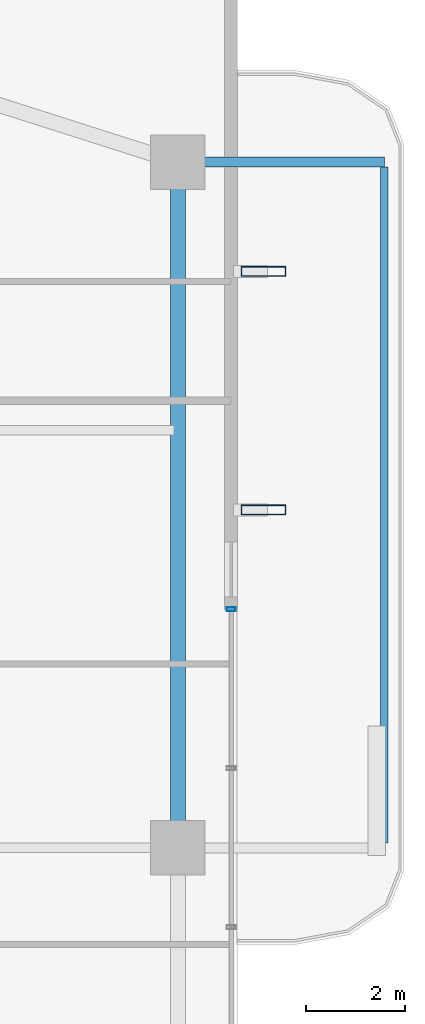
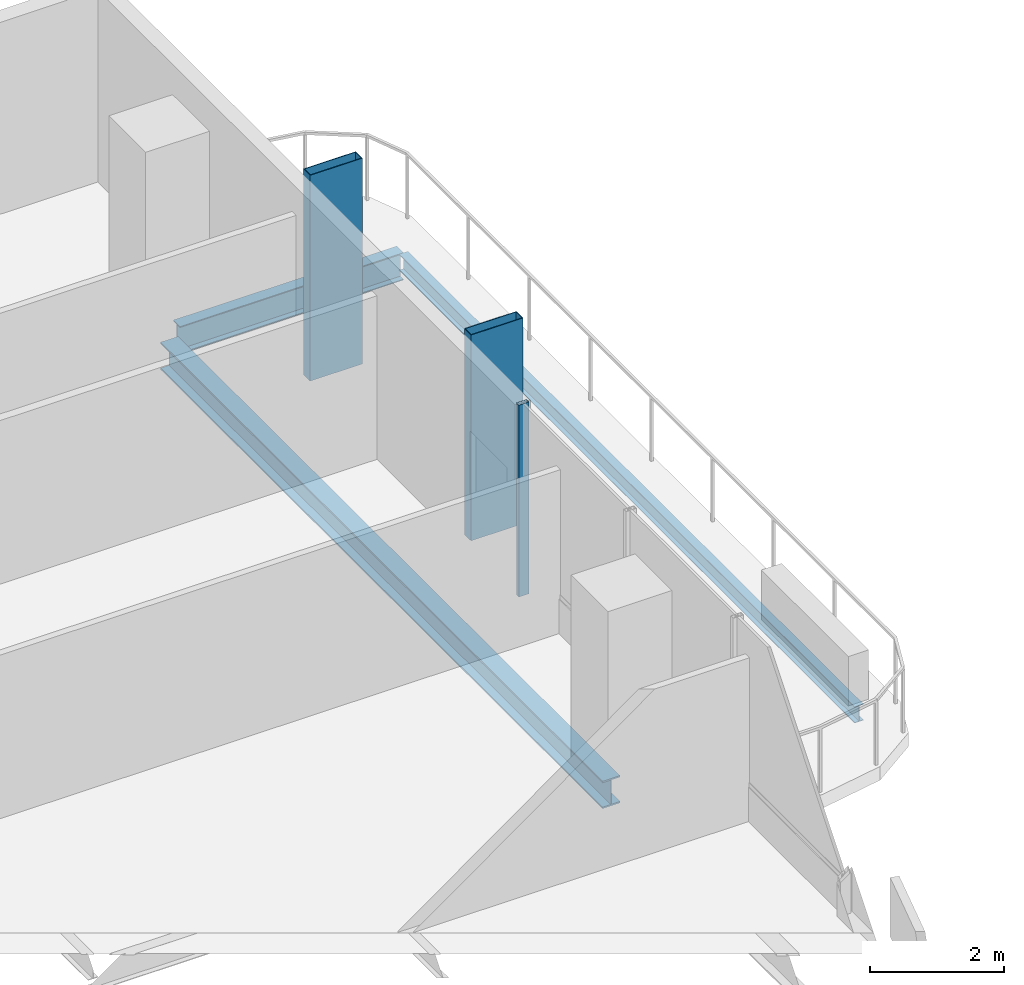
# One storey, part 15 of 25: 3 beams, 3 members, 1 element without a shape of its own.
"""IFC4 building model written with IfcOpenShell, lengths in metres."""

from ifc_helpers import new_model, si_unit, direction, frame, origin, origin_2d, place, context, subcontext, project, spatial, hollow_rectangle, i_section, extrude, material, layer, layer_set, material_profile, profile_set, type_object, element, aggregate, save


model = new_model("IFC4")

# Units and contexts
model_context = context("Model", 3, precision=1e-05, world=origin(), true_north=direction((0.0, 1.0)))
body_context = subcontext(model_context, "Body", "Model", "MODEL_VIEW")
ifc_project = project(units=[si_unit("LENGTHUNIT", "METRE"), si_unit("AREAUNIT", "SQUARE_METRE"), si_unit("VOLUMEUNIT", "CUBIC_METRE"), si_unit("PLANEANGLEUNIT", "RADIAN"), si_unit("MASSUNIT", "GRAM", prefix="KILO")], contexts=[model_context])

# Site, building, storey
site_placement = place(None, origin())
site = spatial("IfcSite", under=ifc_project, at=site_placement, CompositionType="ELEMENT")
building_placement = place(site_placement, origin())
building = spatial("IfcBuilding", under=site, at=building_placement, Name="Belovzor Exchange Tower", CompositionType="ELEMENT")
storey_placement = place(building_placement, frame((0.0, 0.0, 187.050048828125)))
storey = spatial("IfcBuildingStorey", under=building, at=storey_placement, Name="L46", CompositionType="ELEMENT", Elevation=187.050048828125)

# Beams
ifc_material_1 = material(Name="Steel S355", Category="steel")
ifc_material_profile_1 = material_profile(ifc_material_1, i_section(OverallWidth=0.199951171875, OverallDepth=0.5, WebThickness=0.01025390625, FlangeThickness=0.01611328125, at=origin_2d()))
ifc_profile_set_1 = profile_set([ifc_material_profile_1], Name="Steel S355")
beam_type_1 = type_object("IfcBeamType", Name="Planted Balcony Cantilever Beam IPE 500", PredefinedType="BEAM", material=ifc_profile_set_1)
beam_1_placement = place(storey_placement, frame((52.202880859375, 42.60009765625, -0.505126953125), z_axis=(1.0, 0.0, 0.0), x_axis=(0.0, 1.0, 0.0)))
element("IfcBeam", 1, at=beam_1_placement, inside=storey, type_object=beam_type_1, Name="BC-500 Planted Balcony Cantilever Beam IPE 500", PredefinedType="BEAM", context=body_context, shape_type="SweptSolid", body=[
    extrude(i_section(OverallWidth=0.199951171875, OverallDepth=0.5, WebThickness=0.01025390625, FlangeThickness=0.01611328125, at=origin_2d()), origin(), (0.0, 0.0, 1.0), 3.85009765625),
])
ifc_material_2 = material(Name="Steel S355", Category="steel")
ifc_material_profile_2 = material_profile(ifc_material_2, i_section(OverallWidth=0.14990234375, OverallDepth=0.300048828125, WebThickness=0.007080078125, FlangeThickness=0.0107421875, at=origin_2d()))
ifc_profile_set_2 = profile_set([ifc_material_profile_2], Name="Steel S355")
beam_type_2 = type_object("IfcBeamType", Name="Planted Balcony Fascia Edge Beam IPE 300", PredefinedType="BEAM", material=ifc_profile_set_2)
beam_2_placement = place(storey_placement, frame((56.052978515625, 28.89990234375, -0.405029296875), z_axis=(0.0, 1.0, 0.0), x_axis=(-1.0, 0.0, 0.0)))
element("IfcBeam", 2, at=beam_2_placement, inside=storey, type_object=beam_type_2, Name="BC-300 Planted Balcony Fascia Edge Beam IPE 300", PredefinedType="BEAM", context=body_context, shape_type="SweptSolid", body=[
    extrude(i_section(OverallWidth=0.14990234375, OverallDepth=0.300048828125, WebThickness=0.007080078125, FlangeThickness=0.0107421875, at=origin_2d()), origin(), (0.0, 0.0, 1.0), 13.60009765625),
])

# Members
ifc_material_3 = material(Name="Extruded Architectural Terracotta on Steel S355 Carrier", Category="masonry")
ifc_material_profile_3 = material_profile(ifc_material_3, hollow_rectangle(XDim=0.199951171875, YDim=0.89990234375, WallThickness=0.011962890625, at=origin_2d()))
ifc_profile_set_3 = profile_set([ifc_material_profile_3], Name="Extruded Architectural Terracotta on Steel S355 Carrier")
member_type_1 = type_object("IfcMemberType", Name="Sweeping Terracotta Baguette Fin Assembly 1250", PredefinedType="USERDEFINED", material=ifc_profile_set_3)
for number, where, z_axis, x_axis, name in (
    (3, (53.625, 35.60009765625, -0.255126953125), (0.0, 0.0, 1.0), (0.0, 1.0, 0.0), "FIN-TC125 Terracotta Facade Fin L46 E3"),
    (4, (53.625, 40.39990234375, -0.255126953125), (0.0, 0.0, 1.0), (0.0, 1.0, 0.0), "FIN-TC125 Terracotta Facade Fin L46 E4"),
):
    element("IfcMember", number, at=place(storey_placement, frame(where, z_axis=z_axis, x_axis=x_axis)), inside=storey, type_object=member_type_1, Name=name, ObjectType="FIN", PredefinedType="USERDEFINED", context=body_context, shape_type="SweptSolid", body=[
        extrude(hollow_rectangle(XDim=0.199951171875, YDim=0.89990234375, WallThickness=0.011962890625, at=origin_2d()), origin(), (0.0, 0.0, 1.0), 3.75),
    ])

# Curtain wall, member
ifc_material_4 = material(Name="Anodised Aluminium Framing", Category="aluminium")
ifc_layer = layer(ifc_material_4, 0.179931640625)
ifc_layer_set = layer_set([ifc_layer], Name="Anodised Aluminium Framing")
curtain_wall_type = type_object("IfcCurtainWallType", Name="Recessed Loggia Low-Iron Triple-Glazed Curtain Wall", PredefinedType="NOTDEFINED", material=ifc_layer_set)
curtain_wall_placement = place(storey_placement, origin())
curtain_wall = element("IfcCurtainWall", 5, at=curtain_wall_placement, inside=storey, type_object=curtain_wall_type, Name="CW3 Recessed Loggia Low-Iron Triple-Glazed Curtain Wall L46", PredefinedType="NOTDEFINED")
ifc_material_5 = material(Name="Steel S355", Category="steel")
ifc_material_profile_4 = material_profile(ifc_material_5, hollow_rectangle(XDim=0.074951171875, YDim=0.179931640625, WallThickness=0.0048828125, at=origin_2d()))
ifc_profile_set_4 = profile_set([ifc_material_profile_4], Name="Steel S355")
member_type_2 = type_object("IfcMemberType", Name="Thermally Broken Curtain Wall Mullion 180x75", PredefinedType="MULLION", material=ifc_profile_set_4)
member_placement = place(storey_placement, frame((52.969970703125, 33.60009765625, 0.0), z_axis=(0.0, 0.0, 1.0), x_axis=(0.0, -1.0, 0.0)))
member = element("IfcMember", 6, at=member_placement, type_object=member_type_2, Name="CW-M180 Curtain Wall Mullion 1", PredefinedType="MULLION", context=body_context, shape_type="SweptSolid", body=[
    extrude(hollow_rectangle(XDim=0.074951171875, YDim=0.179931640625, WallThickness=0.0048828125, at=origin_2d()), origin(), (0.0, 0.0, 1.0), 3.494873046875),
])
aggregate(curtain_wall, [member])

# Beam
ifc_material_6 = material(Name="Steel S355", Category="steel")
ifc_material_profile_5 = material_profile(ifc_material_6, i_section(OverallWidth=0.300048828125, OverallDepth=0.5, WebThickness=0.014404296875, FlangeThickness=0.028076171875, at=origin_2d()))
ifc_profile_set_5 = profile_set([ifc_material_profile_5], Name="Steel S355")
beam_type_3 = type_object("IfcBeamType", Name="Zone 3 Waist Primary Girder HEB 500", PredefinedType="BEAM", material=ifc_profile_set_5)
beam_3_placement = place(storey_placement, frame((51.89990234375, 29.10205078125, -0.505126953125), z_axis=(0.0, 1.0, 0.0), x_axis=(-1.0, 0.0, 0.0)))
element("IfcBeam", 7, at=beam_3_placement, inside=storey, type_object=beam_type_3, Name="FG-Z3 Zone 3 Waist Primary Girder HEB 500", PredefinedType="BEAM", context=body_context, shape_type="SweptSolid", body=[
    extrude(i_section(OverallWidth=0.300048828125, OverallDepth=0.5, WebThickness=0.014404296875, FlangeThickness=0.028076171875, at=origin_2d()), origin(), (0.0, 0.0, 1.0), 13.195068359375),
])

save(model, "model.ifc")
